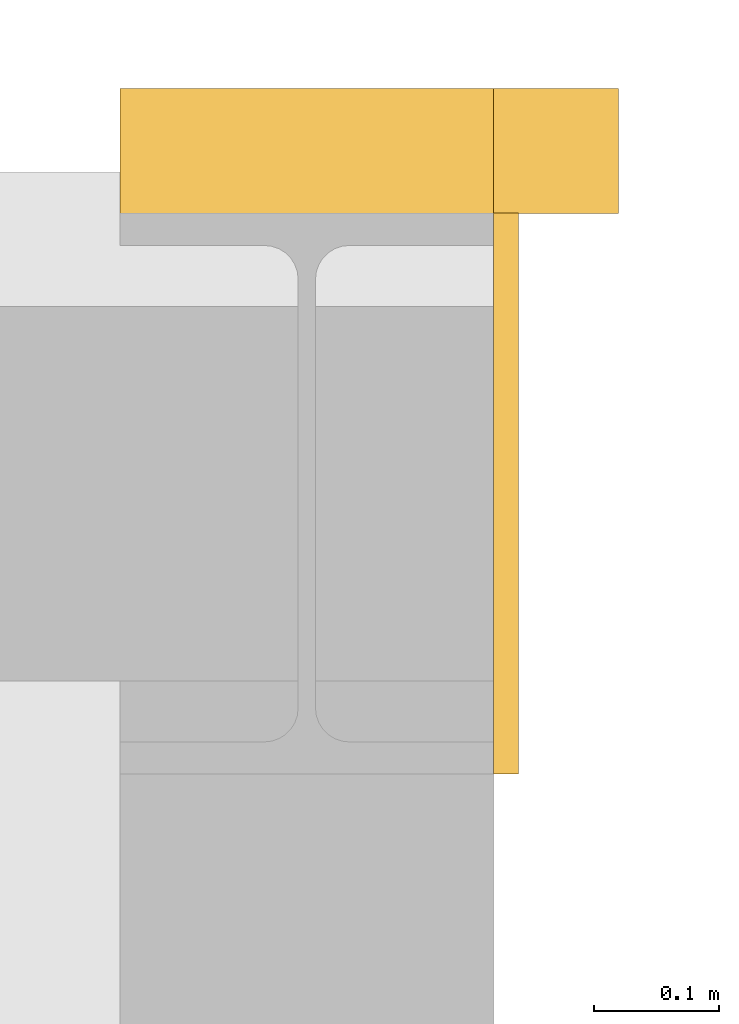
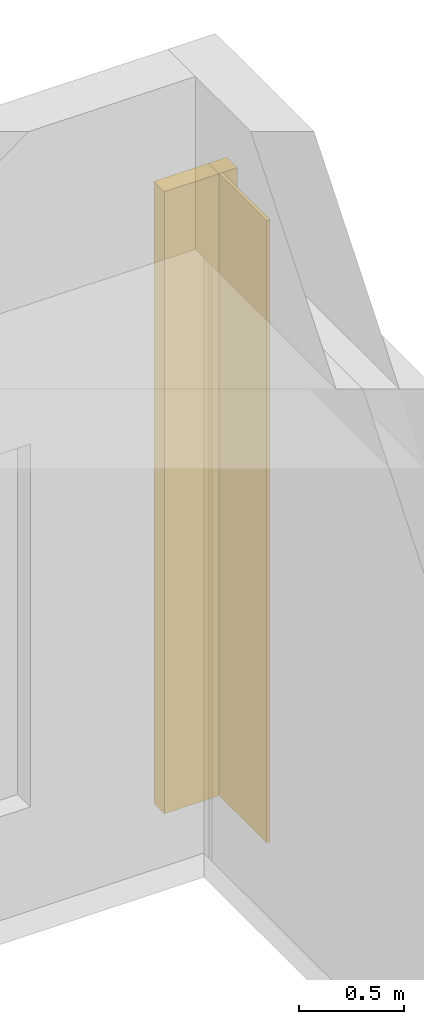
# One storey, part 66 of 68: 3 coverings.
"""IFC4 building model written with IfcOpenShell, lengths in metres."""

import ifcopenshell
import ifcopenshell.guid

model = None  # the IFC model being written
_history = None  # IfcOwnerHistory: only IFC2X3 demands one
_inside = {}  # id of a spatial element -> (the spatial element, [elements in it])
_under = {}  # id of a project, library or spatial element -> (it, [spatial elements below it])
_declared = {}  # id of a project -> (the project, [libraries it declares])
_typed = {}  # id of a type object -> (the type object, [elements of that type])
_made_of = {}  # id of a material, layer set ... -> (it, [elements and type objects made of it])


def new_model(schema):
    """Start an empty IFC model of exactly this schema.

    Asked for "IFC4X3", IfcOpenShell would pick the latest addendum, in which some entities
    have other attributes; the version numbers below select the first issue.
    IFC2X3 requires an IfcOwnerHistory on every rooted entity: one is made here for all.
    """
    global model, _history
    if schema == "IFC4X3":
        model = ifcopenshell.file(schema_version=(4, 3, 0, 0))
    else:
        model = ifcopenshell.file(schema=schema)
    _inside.clear()
    _under.clear()
    _declared.clear()
    _typed.clear()
    _made_of.clear()
    _history = None
    if model.schema == "IFC2X3":
        org = make("IfcOrganization", Name="unknown")
        user = make(
            "IfcPersonAndOrganization",
            ThePerson=make("IfcPerson", FamilyName="unknown"),
            TheOrganization=org,
        )
        app = make(
            "IfcApplication",
            ApplicationDeveloper=org,
            Version="unknown",
            ApplicationFullName="unknown",
            ApplicationIdentifier="unknown",
        )
        _history = make(
            "IfcOwnerHistory",
            OwningUser=user,
            OwningApplication=app,
            ChangeAction="ADDED",
            CreationDate=0,
        )
    return model


def make(cls, **values):
    """One entity of the class cls with the attributes given. An attribute that is None is left unset."""
    return model.create_entity(
        cls, **{name: value for name, value in values.items() if value is not None}
    )


def rooted(cls, **values):
    """An entity with a GlobalId (a new one), such as an element, a storey or a relation."""
    return make(cls, GlobalId=ifcopenshell.guid.new(), OwnerHistory=_history, **values)


def si_unit(unit_type, name, prefix=None):
    """IfcSIUnit, for example si_unit("LENGTHUNIT", "METRE", prefix="MILLI")."""
    return make("IfcSIUnit", UnitType=unit_type, Prefix=prefix, Name=name)


def assignment(units):
    """IfcUnitAssignment: the units of a project."""
    return None if units is None else make("IfcUnitAssignment", Units=units)


def point(xyz):
    """IfcCartesianPoint."""
    return None if xyz is None else make("IfcCartesianPoint", Coordinates=xyz)


def direction(xyz):
    """IfcDirection."""
    return None if xyz is None else make("IfcDirection", DirectionRatios=xyz)


def frame(location, z_axis=None, x_axis=None):
    """IfcAxis2Placement3D, a coordinate frame: its origin and axes. An axis left out is left unset."""
    return make(
        "IfcAxis2Placement3D",
        Location=point(location),
        Axis=direction(z_axis),
        RefDirection=direction(x_axis),
    )


def frame_2d(location, x_axis=None):
    """IfcAxis2Placement2D, a coordinate frame in the plane: its origin and x axis."""
    return make(
        "IfcAxis2Placement2D", Location=point(location), RefDirection=direction(x_axis)
    )


def origin():
    """The frame at (0, 0, 0) with its axes left unset."""
    return frame((0.0, 0.0, 0.0))


def origin_2d():
    """The frame at (0, 0) in the plane with its x axis left unset."""
    return frame_2d((0.0, 0.0))


def place(relative_to, where):
    """IfcLocalPlacement: puts the frame where relative to a parent placement (None: the world)."""
    return make(
        "IfcLocalPlacement", PlacementRelTo=relative_to, RelativePlacement=where
    )


def context(
    kind, dimensions, precision=None, world=None, true_north=None, identifier=None
):
    """IfcGeometricRepresentationContext, for example the 3D "Model" context."""
    return make(
        "IfcGeometricRepresentationContext",
        ContextIdentifier=identifier,
        ContextType=kind,
        CoordinateSpaceDimension=dimensions,
        Precision=precision,
        WorldCoordinateSystem=world,
        TrueNorth=true_north,
    )


def subcontext(parent, identifier, kind, view, scale=None):
    """IfcGeometricRepresentationSubContext, for example "Body" below "Model"."""
    return make(
        "IfcGeometricRepresentationSubContext",
        ContextIdentifier=identifier,
        ContextType=kind,
        ParentContext=parent,
        TargetScale=scale,
        TargetView=view,
    )


def project(units=None, contexts=None):
    """IfcProject with its units and contexts."""
    return rooted(
        "IfcProject",
        Name="project",
        RepresentationContexts=contexts,
        UnitsInContext=assignment(units),
    )


def spatial(cls, under=None, at=None, **own):
    """A site, building, storey or space (cls), placed at a placement, below another one or the project."""
    s = rooted(cls, ObjectPlacement=at, **own)
    if under is not None:
        _under.setdefault(under.id(), (under, []))[1].append(s)
    return s


def profile(cls, at=None, kind="AREA", **sizes):
    """A parametric profile (cls). Its sizes go by their IFC names, for example OverallWidth=200.0."""
    return make(cls, ProfileType=kind, Position=at, **sizes)


def rectangle(**sizes):
    """IfcRectangleProfileDef."""
    return profile("IfcRectangleProfileDef", **sizes)


def extrude(swept, where, along, depth):
    """IfcExtrudedAreaSolid: the profile swept, set in the frame where, extruded along a direction by depth."""
    return make(
        "IfcExtrudedAreaSolid",
        SweptArea=swept,
        Position=where,
        ExtrudedDirection=direction(along),
        Depth=depth,
    )


def shape(context_of_items, identifier, shape_type, items):
    """IfcShapeRepresentation: the items that make up one representation, for example the "Body"."""
    return make(
        "IfcShapeRepresentation",
        ContextOfItems=context_of_items,
        RepresentationIdentifier=identifier,
        RepresentationType=shape_type,
        Items=items,
    )


def material(Name=None, Category=None):
    """IfcMaterial."""
    return make("IfcMaterial", Name=Name, Category=Category)


def layer(
    of_material, thickness, ventilated=None, Name=None, Category=None, Priority=None
):
    """IfcMaterialLayer: one layer of a wall or slab, of a material (None: an air gap)."""
    return make(
        "IfcMaterialLayer",
        Material=of_material,
        LayerThickness=thickness,
        IsVentilated=ventilated,
        Name=Name,
        Category=Category,
        Priority=Priority,
    )


def layer_set(layers, Name=None):
    """IfcMaterialLayerSet."""
    return make("IfcMaterialLayerSet", MaterialLayers=layers, LayerSetName=Name)


def made_of(thing, what):
    """Note that an element or type object is made of a material, layer set ...; save() writes the relation."""
    if what is not None:
        _made_of.setdefault(what.id(), (what, []))[1].append(thing)
    return thing


def type_object(cls, material=None, **own):
    """A type object (cls), such as IfcWallType, which elements share."""
    return made_of(rooted(cls, **own), material)


def element(
    cls,
    number,
    at=None,
    inside=None,
    cuts=None,
    type_object=None,
    material=None,
    context=None,
    identifier="Body",
    shape_type=None,
    held_by="IfcProductDefinitionShape",
    body=None,
    shapes=None,
    **own,
):
    """One element of the class cls, such as IfcWall. Its Tag is "e" and its number.

    at: its placement. inside: the storey or other place that contains it. cuts: it is an
    opening in that element (IfcRelVoidsElement). A single representation is given by context,
    identifier, shape_type and body (its items); several are given by shapes. held_by: the class
    of the entity that holds the representations. save() writes the other relations.
    """
    e = rooted(cls, Tag="e%d" % number, ObjectPlacement=at, **own)
    if body is not None:
        shapes = [shape(context, identifier, shape_type, body)]
    if shapes is not None:
        e.Representation = make(held_by, Representations=shapes)
    if inside is not None:
        _inside.setdefault(inside.id(), (inside, []))[1].append(e)
    if cuts is not None:
        rooted(
            "IfcRelVoidsElement", RelatingBuildingElement=cuts, RelatedOpeningElement=e
        )
    if type_object is not None:
        _typed.setdefault(type_object.id(), (type_object, []))[1].append(e)
    return made_of(e, material)


def aggregate(whole, parts):
    """IfcRelAggregates: a whole, such as a stair, and the parts it consists of."""
    return rooted("IfcRelAggregates", RelatingObject=whole, RelatedObjects=parts)


def save(model, path):
    """Write the relations noted so far, then the file.

    IfcRelAggregates (storeys below a building ...), IfcRelContainedInSpatialStructure (elements
    in a storey), IfcRelDefinesByType, IfcRelAssociatesMaterial and IfcRelDeclares: one each for
    every whole, place, type object, material and project.
    """
    for whole, parts in _under.values():
        aggregate(whole, parts)
    for where, things in _inside.values():
        rooted(
            "IfcRelContainedInSpatialStructure",
            RelatedElements=things,
            RelatingStructure=where,
        )
    for kind, things in _typed.values():
        rooted("IfcRelDefinesByType", RelatedObjects=things, RelatingType=kind)
    for what, things in _made_of.values():
        rooted("IfcRelAssociatesMaterial", RelatedObjects=things, RelatingMaterial=what)
    for by, libraries in _declared.values():
        rooted("IfcRelDeclares", RelatingContext=by, RelatedDefinitions=libraries)
    model.write(path)


model = new_model("IFC4")

# Units and contexts
model_context = context("Model", 3, precision=1e-05, world=origin(), true_north=direction((0.0, 1.0)))
body_context = subcontext(model_context, "Body", "Model", "MODEL_VIEW")
ifc_project = project(units=[si_unit("LENGTHUNIT", "METRE"), si_unit("AREAUNIT", "SQUARE_METRE"), si_unit("VOLUMEUNIT", "CUBIC_METRE"), si_unit("PLANEANGLEUNIT", "RADIAN"), si_unit("MASSUNIT", "GRAM", prefix="KILO")], contexts=[model_context])

# Site, building, storey
site_placement = place(None, origin())
site = spatial("IfcSite", under=ifc_project, at=site_placement, CompositionType="ELEMENT")
building_placement = place(site_placement, origin())
building = spatial("IfcBuilding", under=site, at=building_placement, Name="Kupolbacken Congress Centre", CompositionType="ELEMENT")
storey_placement = place(building_placement, frame((0.0, 0.0, 25.199951171875)))
storey = spatial("IfcBuildingStorey", under=building, at=storey_placement, Name="L07", CompositionType="ELEMENT", Elevation=25.199951171875)

# Coverings
ifc_material = material(Name="Brick cladding", Category="masonry")
ifc_layer = layer(ifc_material, 0.10791015625)
ifc_layer_set = layer_set([ifc_layer], Name="Brick cladding")
covering_type = type_object("IfcCoveringType", Name="CV2 brick cladding band 108", PredefinedType="CLADDING", material=ifc_layer_set)
covering_1_placement = place(storey_placement, frame((137.0, 144.27490234375, 0.0), z_axis=(0.0, 0.0, 1.0), x_axis=(1.0, 0.0, 0.0)))
element("IfcCovering", 1, at=covering_1_placement, inside=storey, type_object=covering_type, Name="E/T/pilaster/L07/C-T-20W/corner", PredefinedType="CLADDING", context=body_context, shape_type="SweptSolid", body=[
    extrude(rectangle(XDim=0.10009765625, YDim=0.10009765625, at=origin_2d()), origin(), (0.0, 0.0, 1.0), 3.60009765625),
])
covering_2_placement = place(storey_placement, frame((136.9599609375, 144.0, 0.0), z_axis=(0.0, 0.0, 1.0), x_axis=(1.0, 0.0, 0.0)))
element("IfcCovering", 2, at=covering_2_placement, inside=storey, type_object=covering_type, Name="E/T/pilaster/L07/C-T-20W/E", PredefinedType="CLADDING", context=body_context, shape_type="SweptSolid", body=[
    extrude(rectangle(XDim=0.02001953125, YDim=0.449951171875, at=origin_2d()), origin(), (0.0, 0.0, 1.0), 3.60009765625),
])
covering_3_placement = place(storey_placement, frame((136.800048828125, 144.27490234375, 0.0), z_axis=(0.0, 0.0, 1.0), x_axis=(1.0, 0.0, 0.0)))
element("IfcCovering", 3, at=covering_3_placement, inside=storey, type_object=covering_type, Name="E/T/pilaster/L07/C-T-20W/N", PredefinedType="CLADDING", context=body_context, shape_type="SweptSolid", body=[
    extrude(rectangle(XDim=0.300048828125, YDim=0.10009765625, at=origin_2d()), origin(), (0.0, 0.0, 1.0), 3.60009765625),
])

save(model, "model.ifc")
